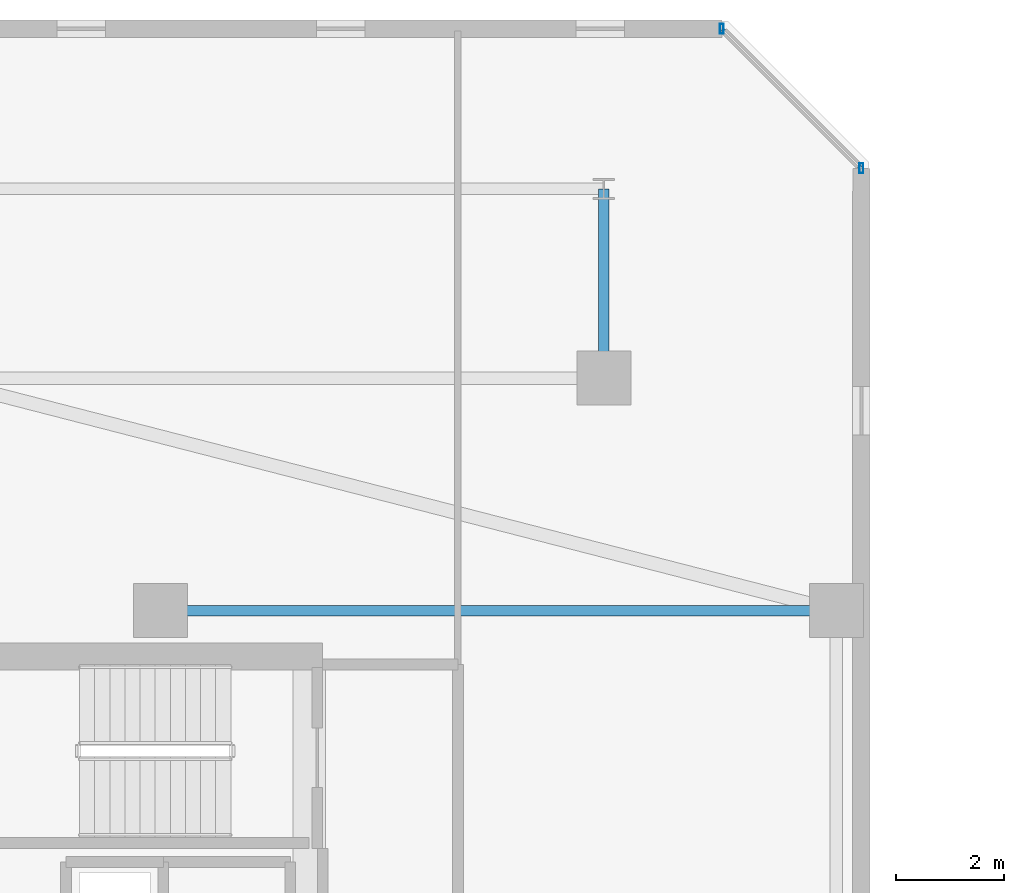
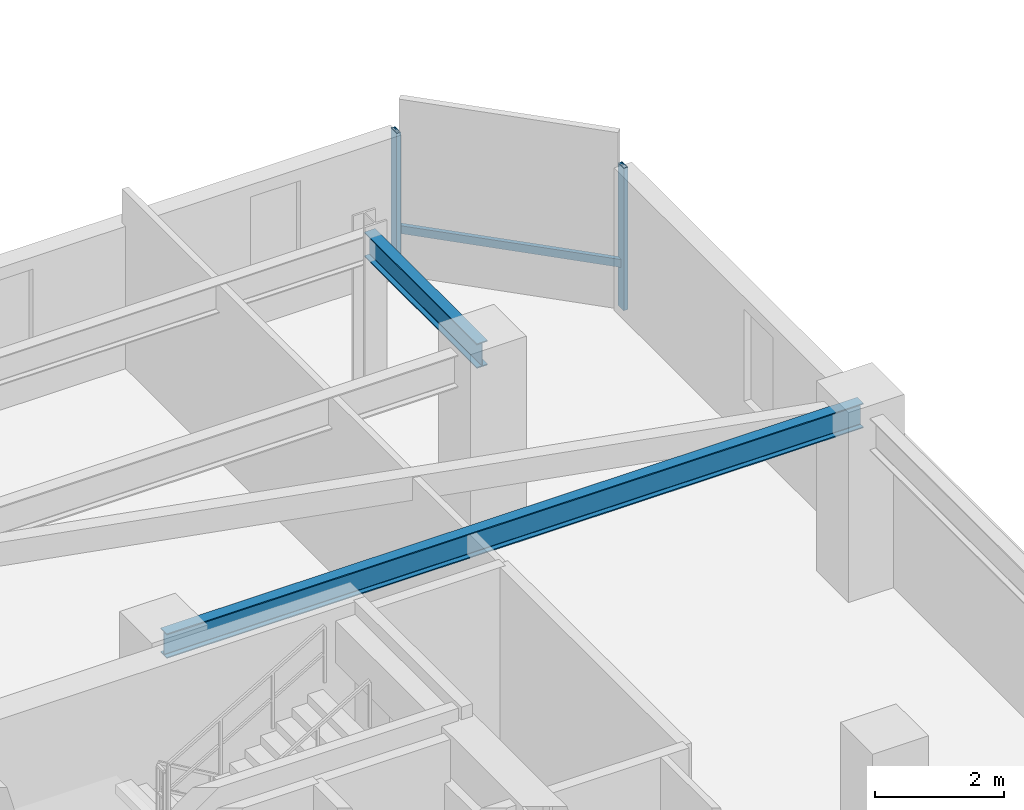
# One storey, part 10 of 33: 3 members, 2 beams, 1 element without a shape of its own.
"""IFC4 building model written with IfcOpenShell, lengths in metres."""

from ifc_helpers import new_model, si_unit, direction, frame, origin, origin_2d, place, context, subcontext, project, spatial, hollow_rectangle, i_section, extrude, material, material_profile, profile_set, type_object, element, aggregate, save


model = new_model("IFC4")

# Units and contexts
model_context = context("Model", 3, precision=1e-05, world=origin(), true_north=direction((0.0, 1.0)))
body_context = subcontext(model_context, "Body", "Model", "MODEL_VIEW")
ifc_project = project(units=[si_unit("LENGTHUNIT", "METRE"), si_unit("AREAUNIT", "SQUARE_METRE"), si_unit("VOLUMEUNIT", "CUBIC_METRE"), si_unit("PLANEANGLEUNIT", "RADIAN"), si_unit("MASSUNIT", "GRAM", prefix="KILO")], contexts=[model_context])

# Site, building, storey
site_placement = place(None, origin())
site = spatial("IfcSite", under=ifc_project, at=site_placement, CompositionType="ELEMENT")
building_placement = place(site_placement, origin())
building = spatial("IfcBuilding", under=site, at=building_placement, Name="Thornwick Lancets Civic Towers", CompositionType="ELEMENT")
storey_placement = place(building_placement, frame((0.0, 0.0, 210.89990234375)))
storey = spatial("IfcBuildingStorey", under=building, at=storey_placement, Name="L56", CompositionType="ELEMENT", Elevation=210.89990234375)

# Beams
ifc_material_1 = material(Name="Steel S355JR", Category="steel")
ifc_material_profile_1 = material_profile(ifc_material_1, i_section(OverallWidth=0.19287109375, OverallDepth=0.46728515625, WebThickness=0.011474609375, FlangeThickness=0.01953125, FilletRadius=0.01025390625, at=origin_2d()), Name="UKB 457x191x98")
ifc_profile_set_1 = profile_set([ifc_material_profile_1], Name="Steel S355JR")
beam_type = type_object("IfcBeamType", Name="BM_JOIST_457_98", PredefinedType="JOIST", material=ifc_profile_set_1)
beam_1_placement = place(storey_placement, frame((30.300048828125, 40.0, 3.12646484375), z_axis=(1.0, 0.0, 0.0), x_axis=(0.0, 1.0, 0.0)))
element("IfcBeam", 1, at=beam_1_placement, inside=storey, type_object=beam_type, Name="BM-RADIN-L56-A06", PredefinedType="JOIST", context=body_context, shape_type="SweptSolid", body=[
    extrude(i_section(OverallWidth=0.19287109375, OverallDepth=0.46728515625, WebThickness=0.011474609375, FlangeThickness=0.01953125, FilletRadius=0.01025390625, at=origin_2d()), origin(), (0.0, 0.0, 1.0), 12.5),
])
beam_2_placement = place(storey_placement, frame((38.5, 44.300048828125, 3.12646484375), z_axis=(0.0, 1.0, 0.0), x_axis=(-1.0, 0.0, 0.0)))
element("IfcBeam", 2, at=beam_2_placement, inside=storey, type_object=beam_type, Name="BM-RAD-L56-A09", PredefinedType="JOIST", context=body_context, shape_type="SweptSolid", body=[
    extrude(i_section(OverallWidth=0.19287109375, OverallDepth=0.46728515625, WebThickness=0.011474609375, FlangeThickness=0.01953125, FilletRadius=0.01025390625, at=origin_2d()), origin(), (0.0, 0.0, 1.0), 3.5),
])

# Curtain wall, members
ifc_material_2 = material(Name="High-zone chamfered-corner unitised glass curtain wall", Category="glass")
curtain_wall_type = type_object("IfcCurtainWallType", Name="CW_SYS_05", PredefinedType="NOTDEFINED", material=ifc_material_2)
curtain_wall_placement = place(storey_placement, origin())
curtain_wall = element("IfcCurtainWall", 3, at=curtain_wall_placement, inside=storey, type_object=curtain_wall_type, Name="L56 Curtain Wall CW-L56-A-E3", PredefinedType="NOTDEFINED")
ifc_material_3 = material(Name="Thermally broken bronze aluminium S355", Category="steel")
ifc_material_profile_2 = material_profile(ifc_material_3, hollow_rectangle(XDim=0.074951171875, YDim=0.179931640625, WallThickness=0.006103515625, at=origin_2d()), Name="RHS 180x75x6")
ifc_profile_set_2 = profile_set([ifc_material_profile_2], Name="Thermally broken bronze aluminium S355")
member_type_1 = type_object("IfcMemberType", Name="CW_MUL_180", PredefinedType="MULLION", material=ifc_profile_set_2)
member_1_placement = place(storey_placement, frame((43.2646484375, 48.181396484375, 0.0), z_axis=(0.0, 0.0, 1.0), x_axis=(1.0, 0.0, 0.0)))
member_1 = element("IfcMember", 4, at=member_1_placement, type_object=member_type_1, Name="CW-L56-A-E3 Mullion 0", PredefinedType="MULLION", context=body_context, shape_type="SweptSolid", body=[
    extrude(hollow_rectangle(XDim=0.074951171875, YDim=0.179931640625, WallThickness=0.006103515625, at=origin_2d()), origin(), (0.0, 0.0, 1.0), 2.7001953125),
])
member_2_placement = place(storey_placement, frame((40.681396484375, 50.7646484375, 0.0), z_axis=(0.0, 0.0, 1.0), x_axis=(1.0, 0.0, 0.0)))
member_2 = element("IfcMember", 5, at=member_2_placement, type_object=member_type_1, Name="CW-L56-A-E3 Mullion 1", PredefinedType="MULLION", context=body_context, shape_type="SweptSolid", body=[
    extrude(hollow_rectangle(XDim=0.074951171875, YDim=0.179931640625, WallThickness=0.006103515625, at=origin_2d()), origin(), (0.0, 0.0, 1.0), 2.7001953125),
])
ifc_material_profile_3 = material_profile(ifc_material_3, hollow_rectangle(XDim=0.074951171875, YDim=0.14990234375, WallThickness=0.0048828125, at=origin_2d()), Name="RHS 150x75x5")
ifc_profile_set_3 = profile_set([ifc_material_profile_3], Name="Thermally broken bronze aluminium S355")
member_type_2 = type_object("IfcMemberType", Name="CW_TRN_150", PredefinedType="USERDEFINED", material=ifc_profile_set_3)
member_3_placement = place(storey_placement, frame((43.25048828125, 48.195556640625, 0.85009765625), z_axis=(-0.707106781187, 0.707106781187, 0.0), x_axis=(-0.707106781187, -0.707106781187, 0.0)))
member_3 = element("IfcMember", 6, at=member_3_placement, type_object=member_type_2, Name="CW-L56-A-E3 Transom 0", ObjectType="TRANSOM", PredefinedType="USERDEFINED", context=body_context, shape_type="SweptSolid", body=[
    extrude(hollow_rectangle(XDim=0.074951171875, YDim=0.14990234375, WallThickness=0.0048828125, at=origin_2d()), origin(), (0.0, 0.0, 1.0), 3.61328125),
])
aggregate(curtain_wall, [member_1, member_2, member_3])

save(model, "model.ifc")
